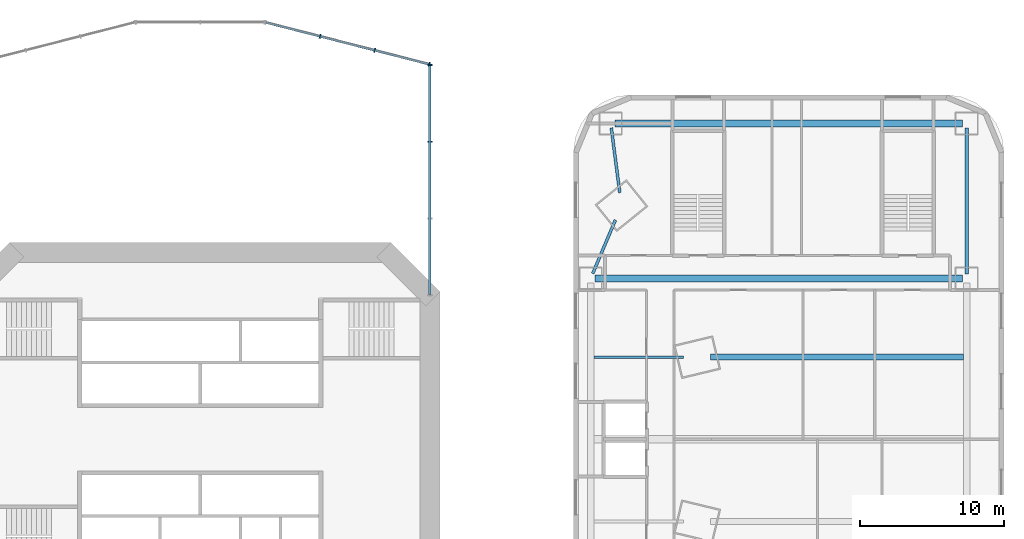
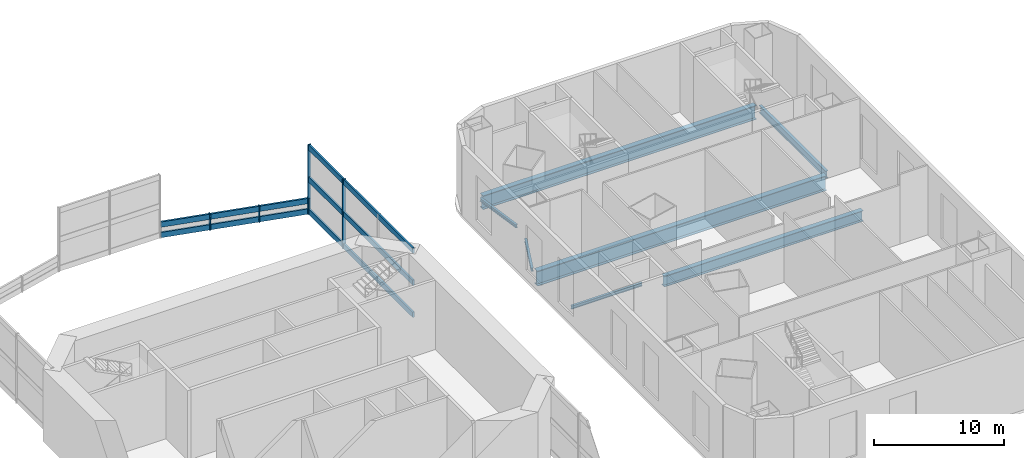
# One storey, part 7 of 19: 10 members, 7 beams, 2 elements without a shape of their own.
"""IFC4 building model written with IfcOpenShell, lengths in metres."""

from ifc_helpers import new_model, si_unit, direction, frame, origin, origin_2d, place, context, subcontext, project, spatial, rectangle, i_section, extrude, material, material_profile, profile_set, type_object, element, aggregate, save


model = new_model("IFC4")

# Units and contexts
model_context = context("Model", 3, precision=1e-05, world=origin(), true_north=direction((0.0, 1.0)))
body_context = subcontext(model_context, "Body", "Model", "MODEL_VIEW")
ifc_project = project(units=[si_unit("LENGTHUNIT", "METRE"), si_unit("AREAUNIT", "SQUARE_METRE"), si_unit("VOLUMEUNIT", "CUBIC_METRE"), si_unit("PLANEANGLEUNIT", "RADIAN"), si_unit("MASSUNIT", "GRAM", prefix="KILO")], contexts=[model_context])

# Site, building, storey
site_placement = place(None, origin())
site = spatial("IfcSite", under=ifc_project, at=site_placement, CompositionType="ELEMENT")
building_placement = place(site_placement, origin())
building = spatial("IfcBuilding", under=site, at=building_placement, Name="Marenthal Gate Tower", CompositionType="ELEMENT")
storey_placement = place(building_placement, frame((0.0, 0.0, 19.0)))
storey = spatial("IfcBuildingStorey", under=building, at=storey_placement, Name="L02", CompositionType="ELEMENT", Elevation=19.0)

# Curtain wall, members
ifc_material_1 = material(Name="Aluminium and glass", Category="aluminium")
curtain_wall_type = type_object("IfcCurtainWallType", Name="Curtain wall arch infill", PredefinedType="NOTDEFINED", material=ifc_material_1)
curtain_wall_1_placement = place(storey_placement, origin())
curtain_wall_1 = element("IfcCurtainWall", 1, at=curtain_wall_1_placement, inside=storey, type_object=curtain_wall_type, Name="Curtain wall L02 arch N3", PredefinedType="NOTDEFINED")
ifc_material_2 = material(Name="Aluminium", Category="aluminium")
ifc_material_profile_1 = material_profile(ifc_material_2, rectangle(XDim=0.300048828125, YDim=0.080078125, at=origin_2d()), Name="80x300 aluminium mullion")
ifc_profile_set_1 = profile_set([ifc_material_profile_1], Name="Aluminium")
member_type_1 = type_object("IfcMemberType", Name="Mullion 80x300 arch infill", PredefinedType="MULLION", material=ifc_profile_set_1)
member_1_placement = place(storey_placement, frame((8.34619140625, 28.076416015625, 0.0), z_axis=(0.0, 0.0, 1.0), x_axis=(0.247965362941, 0.968768898542, 0.0)))
member_1 = element("IfcMember", 2, at=member_1_placement, type_object=member_type_1, Name="Mullion L02 arch N3.2", PredefinedType="MULLION", context=body_context, shape_type="SweptSolid", body=[
    extrude(rectangle(XDim=0.300048828125, YDim=0.080078125, at=origin_2d()), origin(), (0.0, 0.0, 1.0), 1.47509765625),
])
member_2_placement = place(storey_placement, frame((12.15380859375, 27.101806640625, 0.0), z_axis=(0.0, 0.0, 1.0), x_axis=(0.247965362941, 0.968768898542, 0.0)))
member_2 = element("IfcMember", 3, at=member_2_placement, type_object=member_type_1, Name="Mullion L02 arch N3.3", PredefinedType="MULLION", context=body_context, shape_type="SweptSolid", body=[
    extrude(rectangle(XDim=0.300048828125, YDim=0.080078125, at=origin_2d()), origin(), (0.0, 0.0, 1.0), 1.47509765625),
])
member_3_placement = place(storey_placement, frame((15.961181640625, 26.12744140625, 0.0), z_axis=(0.0, 0.0, 1.0), x_axis=(0.247965362941, 0.968768898542, 0.0)))
member_3 = element("IfcMember", 4, at=member_3_placement, type_object=member_type_1, Name="Mullion L02 arch N3.4", PredefinedType="MULLION", context=body_context, shape_type="SweptSolid", body=[
    extrude(rectangle(XDim=0.300048828125, YDim=0.080078125, at=origin_2d()), origin(), (0.0, 0.0, 1.0), 1.47509765625),
])

curtain_wall_2_placement = place(storey_placement, origin())
curtain_wall_2 = element("IfcCurtainWall", 5, at=curtain_wall_2_placement, inside=storey, type_object=curtain_wall_type, Name="Curtain wall L02 hall NE1", PredefinedType="NOTDEFINED")
member_4_placement = place(storey_placement, frame((16.0, 20.731689453125, 0.0), z_axis=(0.0, 0.0, 1.0), x_axis=(-1.0, 0.0, 0.0)))
member_4 = element("IfcMember", 6, at=member_4_placement, type_object=member_type_1, Name="Mullion L02 hall NE1.3", PredefinedType="MULLION", context=body_context, shape_type="SweptSolid", body=[
    extrude(rectangle(XDim=0.300048828125, YDim=0.080078125, at=origin_2d()), origin(), (0.0, 0.0, 1.0), 6.5),
])
member_5_placement = place(storey_placement, frame((16.0, 26.077392578125, 0.0), z_axis=(0.0, 0.0, 1.0), x_axis=(-1.0, 0.0, 0.0)))
member_5 = element("IfcMember", 7, at=member_5_placement, type_object=member_type_1, Name="Mullion L02 hall NE1.4", PredefinedType="MULLION", context=body_context, shape_type="SweptSolid", body=[
    extrude(rectangle(XDim=0.300048828125, YDim=0.080078125, at=origin_2d()), origin(), (0.0, 0.0, 1.0), 6.5),
])

# Beams
ifc_material_3 = material(Name="Steel S355", Category="steel")
ifc_material_profile_2 = material_profile(ifc_material_3, i_section(OverallWidth=0.419921875, OverallDepth=1.0, WebThickness=0.02001953125, FlangeThickness=0.035888671875, at=origin_2d()), Name="PLATE GIRDER 1000X420X20X36")
ifc_profile_set_2 = profile_set([ifc_material_profile_2], Name="Steel S355")
beam_type_1 = type_object("IfcBeamType", Name="PLATE GIRDER 1000X420X20X36 beam", PredefinedType="BEAM", material=ifc_profile_set_2)
beam_1_placement = place(storey_placement, frame((35.561279296875, 5.716064453125, -0.75), z_axis=(1.0, 0.0, 0.0), x_axis=(0.0, 1.0, 0.0)))
element("IfcBeam", 8, at=beam_1_placement, inside=storey, type_object=beam_type_1, Name="BM-L02-111", PredefinedType="BEAM", context=body_context, shape_type="SweptSolid", body=[
    extrude(i_section(OverallWidth=0.419921875, OverallDepth=1.0, WebThickness=0.02001953125, FlangeThickness=0.035888671875, at=origin_2d()), origin(), (0.0, 0.0, 1.0), 17.61376953125),
])
ifc_material_4 = material(Name="Steel S355", Category="steel")
ifc_material_profile_3 = material_profile(ifc_material_4, i_section(OverallWidth=0.4599609375, OverallDepth=1.300048828125, WebThickness=0.02490234375, FlangeThickness=0.044921875, at=origin_2d()), Name="PLATE GIRDER 1300X460X25X45")
ifc_profile_set_3 = profile_set([ifc_material_profile_3], Name="Steel S355")
beam_type_2 = type_object("IfcBeamType", Name="PLATE GIRDER 1300X460X25X45 beam", PredefinedType="BEAM", material=ifc_profile_set_3)
beam_2_placement = place(storey_placement, frame((28.89990234375, 22.0, -0.89990234375), z_axis=(1.0, 0.0, 0.0), x_axis=(0.0, 1.0, 0.0)))
element("IfcBeam", 9, at=beam_2_placement, inside=storey, type_object=beam_type_2, Name="BM-L02-113", PredefinedType="BEAM", context=body_context, shape_type="SweptSolid", body=[
    extrude(i_section(OverallWidth=0.4599609375, OverallDepth=1.300048828125, WebThickness=0.02490234375, FlangeThickness=0.044921875, at=origin_2d()), origin(), (0.0, 0.0, 1.0), 24.2001953125),
])
ifc_material_5 = material(Name="Steel S355", Category="steel")
ifc_material_profile_4 = material_profile(ifc_material_5, i_section(OverallWidth=0.47998046875, OverallDepth=1.39990234375, WebThickness=0.02490234375, FlangeThickness=0.044921875, at=origin_2d()), Name="PLATE GIRDER 1400X480X25X45")
ifc_profile_set_4 = profile_set([ifc_material_profile_4], Name="Steel S355")
beam_type_3 = type_object("IfcBeamType", Name="PLATE GIRDER 1400X480X25X45 beam", PredefinedType="BEAM", material=ifc_profile_set_4)
beam_3_placement = place(storey_placement, frame((27.5, 11.199951171875, -0.949951171875), z_axis=(1.0, 0.0, 0.0), x_axis=(0.0, 1.0, 0.0)))
element("IfcBeam", 10, at=beam_3_placement, inside=storey, type_object=beam_type_3, Name="BM-L02-112", PredefinedType="BEAM", context=body_context, shape_type="SweptSolid", body=[
    extrude(i_section(OverallWidth=0.47998046875, OverallDepth=1.39990234375, WebThickness=0.02490234375, FlangeThickness=0.044921875, at=origin_2d()), origin(), (0.0, 0.0, 1.0), 25.60009765625),
])

# Member
ifc_material_6 = material(Name="Aluminium", Category="aluminium")
ifc_material_profile_5 = material_profile(ifc_material_6, rectangle(XDim=0.159912109375, YDim=0.5, at=origin_2d()), Name="160x500 aluminium transom")
ifc_profile_set_5 = profile_set([ifc_material_profile_5], Name="Aluminium")
member_type_2 = type_object("IfcMemberType", Name="Transom 160x500 arch infill", PredefinedType="USERDEFINED", material=ifc_profile_set_5)
member_6_placement = place(storey_placement, frame((4.577392578125, 29.041015625, 0.25), z_axis=(0.968771034171, -0.247957019161, 0.0), x_axis=(0.247957019161, 0.968771034171, 0.0)))
member_6 = element("IfcMember", 11, at=member_6_placement, type_object=member_type_2, Name="Transom L02 arch N3.1", ObjectType="TRANSOM", PredefinedType="USERDEFINED", context=body_context, shape_type="SweptSolid", body=[
    extrude(rectangle(XDim=0.159912109375, YDim=0.5, at=origin_2d()), origin(), (0.0, 0.0, 1.0), 11.7109375),
])

member_7_placement = place(storey_placement, frame((4.577392578125, 29.041015625, 1.22509765625), z_axis=(0.968771034171, -0.247957019161, 0.0), x_axis=(0.247957019161, 0.968771034171, 0.0)))
member_7 = element("IfcMember", 12, at=member_7_placement, type_object=member_type_2, Name="Transom L02 arch N3.2", ObjectType="TRANSOM", PredefinedType="USERDEFINED", context=body_context, shape_type="SweptSolid", body=[
    extrude(rectangle(XDim=0.159912109375, YDim=0.5, at=origin_2d()), origin(), (0.0, 0.0, 1.0), 11.7109375),
])

aggregate(curtain_wall_1, [member_1, member_2, member_3, member_6, member_7])

member_8_placement = place(storey_placement, frame((16.0, 10.080078125, 0.25), z_axis=(0.0, 1.0, 0.0), x_axis=(-1.0, 0.0, 0.0)))
member_8 = element("IfcMember", 13, at=member_8_placement, type_object=member_type_2, Name="Transom L02 hall NE1.1", ObjectType="TRANSOM", PredefinedType="USERDEFINED", context=body_context, shape_type="SweptSolid", body=[
    extrude(rectangle(XDim=0.159912109375, YDim=0.5, at=origin_2d()), origin(), (0.0, 0.0, 1.0), 15.957275390625),
])

member_9_placement = place(storey_placement, frame((16.0, 10.080078125, 3.25), z_axis=(0.0, 1.0, 0.0), x_axis=(-1.0, 0.0, 0.0)))
member_9 = element("IfcMember", 14, at=member_9_placement, type_object=member_type_2, Name="Transom L02 hall NE1.2", ObjectType="TRANSOM", PredefinedType="USERDEFINED", context=body_context, shape_type="SweptSolid", body=[
    extrude(rectangle(XDim=0.159912109375, YDim=0.5, at=origin_2d()), origin(), (0.0, 0.0, 1.0), 15.957275390625),
])

member_10_placement = place(storey_placement, frame((16.0, 10.080078125, 6.25), z_axis=(0.0, 1.0, 0.0), x_axis=(-1.0, 0.0, 0.0)))
member_10 = element("IfcMember", 15, at=member_10_placement, type_object=member_type_2, Name="Transom L02 hall NE1.3", ObjectType="TRANSOM", PredefinedType="USERDEFINED", context=body_context, shape_type="SweptSolid", body=[
    extrude(rectangle(XDim=0.159912109375, YDim=0.5, at=origin_2d()), origin(), (0.0, 0.0, 1.0), 15.957275390625),
])

aggregate(curtain_wall_2, [member_4, member_5, member_8, member_9, member_10])

# Beams
ifc_material_7 = material(Name="Steel S355", Category="steel")
ifc_material_profile_6 = material_profile(ifc_material_7, i_section(OverallWidth=0.202880859375, OverallDepth=0.302001953125, WebThickness=0.007568359375, FlangeThickness=0.01318359375, FilletRadius=0.0126953125, at=origin_2d()), Name="W310X60")
ifc_profile_set_6 = profile_set([ifc_material_profile_6], Name="Steel S355")
beam_type_4 = type_object("IfcBeamType", Name="W310X60 beam", PredefinedType="BEAM", material=ifc_profile_set_6)
beam_4_placement = place(storey_placement, frame((27.425048828125, 5.716064453125, -0.40087890625), z_axis=(1.0, 0.0, 0.0), x_axis=(0.0, 1.0, 0.0)))
element("IfcBeam", 16, at=beam_4_placement, inside=storey, type_object=beam_type_4, Name="BM-L02-110", PredefinedType="BEAM", context=body_context, shape_type="SweptSolid", body=[
    extrude(i_section(OverallWidth=0.202880859375, OverallDepth=0.302001953125, WebThickness=0.007568359375, FlangeThickness=0.01318359375, FilletRadius=0.0126953125, at=origin_2d()), origin(), (0.0, 0.0, 1.0), 6.2568359375),
])
beam_5_placement = place(storey_placement, frame((27.34375, 11.53955078125, -0.40087890625), z_axis=(0.390030578719, 0.920801904681, 0.0), x_axis=(-0.920801904681, 0.390030578719, 0.0)))
element("IfcBeam", 17, at=beam_5_placement, inside=storey, type_object=beam_type_4, Name="BM-L02-114", PredefinedType="BEAM", context=body_context, shape_type="SweptSolid", body=[
    extrude(i_section(OverallWidth=0.202880859375, OverallDepth=0.302001953125, WebThickness=0.007568359375, FlangeThickness=0.01318359375, FilletRadius=0.0126953125, at=origin_2d()), origin(), (0.0, 0.0, 1.0), 4.057373046875),
])
beam_6_placement = place(storey_placement, frame((29.233154296875, 17.17578125, -0.40087890625), z_axis=(-0.130135880417, 0.991496168741, 0.0), x_axis=(-0.991496168741, -0.130135880417, 0.0)))
element("IfcBeam", 18, at=beam_6_placement, inside=storey, type_object=beam_type_4, Name="BM-L02-115", PredefinedType="BEAM", context=body_context, shape_type="SweptSolid", body=[
    extrude(i_section(OverallWidth=0.202880859375, OverallDepth=0.302001953125, WebThickness=0.007568359375, FlangeThickness=0.01318359375, FilletRadius=0.0126953125, at=origin_2d()), origin(), (0.0, 0.0, 1.0), 4.558837890625),
])
ifc_material_8 = material(Name="Steel S355", Category="steel")
ifc_material_profile_7 = material_profile(ifc_material_8, i_section(OverallWidth=0.25390625, OverallDepth=0.68310546875, WebThickness=0.012451171875, FlangeThickness=0.018798828125, FilletRadius=0.01513671875, at=origin_2d()), Name="W690X140")
ifc_profile_set_7 = profile_set([ifc_material_profile_7], Name="Steel S355")
beam_type_5 = type_object("IfcBeamType", Name="W690X140 beam", PredefinedType="BEAM", material=ifc_profile_set_7)
beam_7_placement = place(storey_placement, frame((53.39990234375, 11.5, -0.591552734375), z_axis=(0.0, 1.0, 0.0), x_axis=(-1.0, 0.0, 0.0)))
element("IfcBeam", 19, at=beam_7_placement, inside=storey, type_object=beam_type_5, Name="BM-L02-103", PredefinedType="BEAM", context=body_context, shape_type="SweptSolid", body=[
    extrude(i_section(OverallWidth=0.25390625, OverallDepth=0.68310546875, WebThickness=0.012451171875, FlangeThickness=0.018798828125, FilletRadius=0.01513671875, at=origin_2d()), origin(), (0.0, 0.0, 1.0), 10.199951171875),
])

save(model, "model.ifc")
